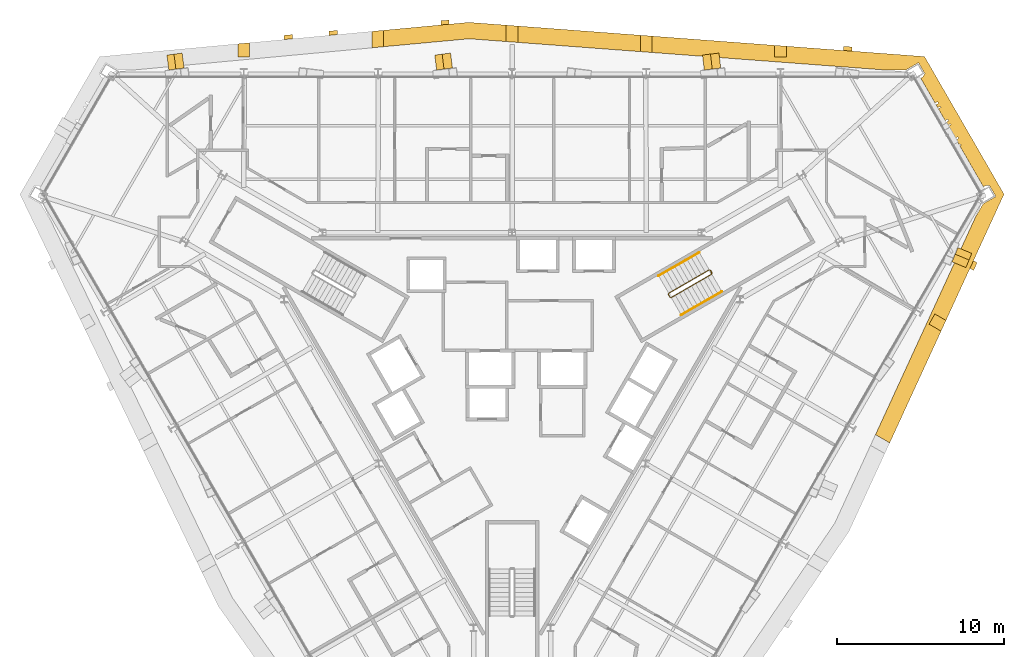
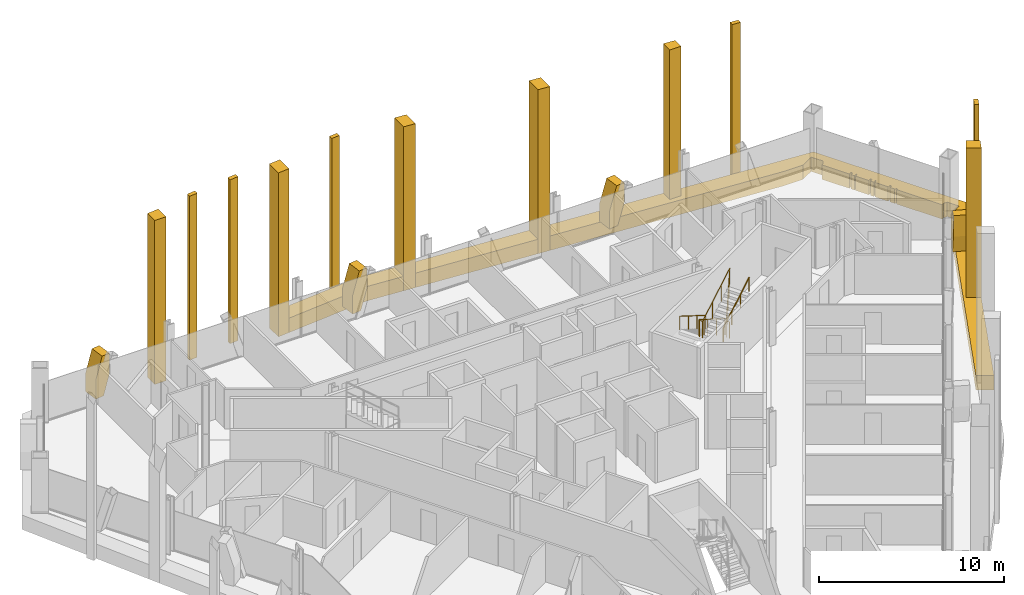
# One storey, part 16 of 16: 18 coverings, 3 railings.
"""IFC4 building model written with IfcOpenShell, lengths in metres."""

from ifc_helpers import new_model, si_unit, direction, frame, origin, origin_2d, place, context, subcontext, project, spatial, polyline, circle, outline, extrude, material, layer, layer_set, type_object, element, save


model = new_model("IFC4")

# Units and contexts
model_context = context("Model", 3, precision=1e-05, world=origin(), true_north=direction((0.0, 1.0)))
body_context = subcontext(model_context, "Body", "Model", "MODEL_VIEW")
ifc_project = project(units=[si_unit("LENGTHUNIT", "METRE"), si_unit("AREAUNIT", "SQUARE_METRE"), si_unit("VOLUMEUNIT", "CUBIC_METRE"), si_unit("PLANEANGLEUNIT", "RADIAN"), si_unit("MASSUNIT", "GRAM", prefix="KILO")], contexts=[model_context])

# Site, building, storey
site_placement = place(None, origin())
site = spatial("IfcSite", under=ifc_project, at=site_placement, CompositionType="ELEMENT")
building_placement = place(site_placement, origin())
building = spatial("IfcBuilding", under=site, at=building_placement, Name="Verrane Prism Tower", CompositionType="ELEMENT")
storey_placement = place(building_placement, frame((0.0, 0.0, 103.60009765625)))
storey = spatial("IfcBuildingStorey", under=building, at=storey_placement, Name="L24", CompositionType="ELEMENT", Elevation=103.60009765625)

# Railings
ifc_material_1 = material(Name="Steel A36 rail and posts, no infill", Category="steel")
railing_type_1 = type_object("IfcRailingType", Name="Stair guard 1100 steel rail and posts", PredefinedType="GUARDRAIL", material=ifc_material_1)
railing_1_placement = place(storey_placement, frame((11.78955078125, 6.97998046875, 0.16357421875)))
element("IfcRailing", 1, at=railing_1_placement, inside=storey, type_object=railing_type_1, Name="Stair 1 guard", PredefinedType="GUARDRAIL", context=body_context, shape_type="SweptSolid", body=[
    extrude(circle(Radius=0.02392578125, at=origin_2d()), frame((0.0, 0.0, 1.076171875), z_axis=(-0.747693913401, -0.431738279637, 0.504535300807), x_axis=(0.500049511043, -0.865996816683, 0.0)), (0.0, 0.0, 1.0), 3.2431640625),
    extrude(circle(Radius=0.02392578125, at=origin_2d()), frame((-2.4248046875, -1.400146484375, 2.71240234375), z_axis=(-0.259601060869, -0.965715946433, 0.0), x_axis=(0.965715946433, -0.259601060869, 0.0)), (0.0, 0.0, 1.0), 0.070556640625),
    extrude(circle(Radius=0.02392578125, at=origin_2d()), frame((-2.443115234375, -1.46826171875, 2.71240234375), z_axis=(0.499158860599, -0.866510491504, 0.0), x_axis=(0.866510491504, 0.499158860599, 0.0)), (0.0, 0.0, 1.0), 0.199951171875),
    extrude(circle(Radius=0.02392578125, at=origin_2d()), frame((-2.34326171875, -1.6416015625, 2.71240234375), z_axis=(0.383070988865, -0.102608300589, 0.918002262601), x_axis=(0.258736085224, 0.965948051503, 0.0)), (0.0, 0.0, 1.0), 0.178466796875),
    extrude(circle(Radius=0.02392578125, at=origin_2d()), frame((-2.27490234375, -1.659912109375, 2.8759765625), z_axis=(0.747693913401, 0.431738279637, 0.504535300807), x_axis=(-0.500049511043, 0.865996816683, 0.0)), (0.0, 0.0, 1.0), 3.2431640625),
    extrude(circle(Radius=0.02392578125, at=origin_2d()), frame((0.14990234375, -0.259765625, 4.51220703125), z_axis=(-0.022595193939, 0.066906128161, -0.9975033971), x_axis=(-0.947430582667, -0.3199613899, 0.0)), (0.0, 0.0, 1.0), 3.60888671875),
    extrude(circle(Radius=0.02392578125, at=origin_2d()), frame((0.068359375, -0.018310546875, 0.91259765625), z_axis=(0.499158860599, -0.866510491504, 0.0), x_axis=(0.866510491504, 0.499158860599, 0.0)), (0.0, 0.0, 1.0), 0.199951171875),
    extrude(circle(Radius=0.02099609375, at=origin_2d()), origin(), (0.0, 0.0, 1.0), 1.052001953125),
    extrude(circle(Radius=0.02099609375, at=origin_2d()), frame((-0.808349609375, -0.466796875, 0.54541015625)), (0.0, 0.0, 1.0), 1.052001953125),
    extrude(circle(Radius=0.02099609375, at=origin_2d()), frame((-1.616455078125, -0.933349609375, 1.0908203125)), (0.0, 0.0, 1.0), 1.052001953125),
    extrude(circle(Radius=0.02099609375, at=origin_2d()), frame((-2.4248046875, -1.400146484375, 1.63623046875)), (0.0, 0.0, 1.0), 1.052001953125),
    extrude(circle(Radius=0.02099609375, at=origin_2d()), frame((-2.443115234375, -1.46826171875, 1.63623046875)), (0.0, 0.0, 1.0), 1.052001953125),
    extrude(circle(Radius=0.02099609375, at=origin_2d()), frame((-2.34326171875, -1.6416015625, 1.63623046875)), (0.0, 0.0, 1.0), 1.052001953125),
    extrude(circle(Radius=0.02099609375, at=origin_2d()), frame((-2.27490234375, -1.659912109375, 1.800048828125)), (0.0, 0.0, 1.0), 1.052001953125),
    extrude(circle(Radius=0.02099609375, at=origin_2d()), frame((-1.466552734375, -1.193115234375, 2.345458984375)), (0.0, 0.0, 1.0), 1.052001953125),
    extrude(circle(Radius=0.02099609375, at=origin_2d()), frame((-0.658447265625, -0.7265625, 2.890869140625)), (0.0, 0.0, 1.0), 1.052001953125),
    extrude(circle(Radius=0.02099609375, at=origin_2d()), frame((0.14990234375, -0.259765625, 3.436279296875)), (0.0, 0.0, 1.0), 1.052001953125),
    extrude(circle(Radius=0.02099609375, at=origin_2d()), frame((0.12939453125, -0.199462890625, 2.536376953125)), (0.0, 0.0, 1.0), 1.052001953125),
    extrude(circle(Radius=0.02099609375, at=origin_2d()), frame((0.109130859375, -0.13916015625, 1.63623046875)), (0.0, 0.0, 1.0), 1.052001953125),
    extrude(circle(Radius=0.02099609375, at=origin_2d()), frame((0.0888671875, -0.07861328125, 0.736328125)), (0.0, 0.0, 1.0), 1.052001953125),
    extrude(circle(Radius=0.02099609375, at=origin_2d()), frame((0.068359375, -0.018310546875, -0.16357421875)), (0.0, 0.0, 1.0), 1.052001953125),
    extrude(circle(Radius=0.02099609375, at=origin_2d()), frame((0.168212890625, -0.191650390625, -0.16357421875)), (0.0, 0.0, 1.0), 1.052001953125),
])
ifc_material_2 = material(Name="Steel A36 tube", Category="steel")
railing_type_2 = type_object("IfcRailingType", Name="Stair handrail 900 steel tube", PredefinedType="HANDRAIL", material=ifc_material_2)
railing_2_placement = place(storey_placement, frame((11.189453125, 8.01904296875, 0.16357421875)))
element("IfcRailing", 2, at=railing_2_placement, inside=storey, type_object=railing_type_2, Name="Stair 1 handrail", PredefinedType="HANDRAIL", context=body_context, shape_type="SweptSolid", body=[
    extrude(circle(Radius=0.02392578125, at=origin_2d()), frame((0.0, 0.0, 0.8759765625), z_axis=(-0.74771821388, -0.431677027627, 0.504551698492), x_axis=(0.49998411664, -0.866034573852, 0.0)), (0.0, 0.0, 1.0), 3.242919921875),
    extrude(circle(Radius=0.02099609375, at=origin_2d()), origin(), (0.0, 0.0, 1.0), 0.851806640625),
    extrude(circle(Radius=0.02099609375, at=origin_2d()), frame((-0.808349609375, -0.466552734375, 0.54541015625)), (0.0, 0.0, 1.0), 0.851806640625),
    extrude(circle(Radius=0.02099609375, at=origin_2d()), frame((-1.616455078125, -0.933349609375, 1.0908203125)), (0.0, 0.0, 1.0), 0.851806640625),
    extrude(circle(Radius=0.02099609375, at=origin_2d()), frame((-2.4248046875, -1.39990234375, 1.63623046875)), (0.0, 0.0, 1.0), 0.851806640625),
])
railing_3_placement = place(storey_placement, frame((10.11474609375, 4.28076171875, 1.963623046875)))
element("IfcRailing", 3, at=railing_3_placement, inside=storey, type_object=railing_type_2, Name="Stair 1 handrail", PredefinedType="HANDRAIL", context=body_context, shape_type="SweptSolid", body=[
    extrude(circle(Radius=0.02392578125, at=origin_2d()), frame((0.0, 0.0, 0.8759765625), z_axis=(0.747693913401, 0.431738279637, 0.504535300807), x_axis=(-0.500049511043, 0.865996816683, 0.0)), (0.0, 0.0, 1.0), 3.2431640625),
    extrude(circle(Radius=0.02099609375, at=origin_2d()), origin(), (0.0, 0.0, 1.0), 0.851806640625),
    extrude(circle(Radius=0.02099609375, at=origin_2d()), frame((0.808349609375, 0.466796875, 0.54541015625)), (0.0, 0.0, 1.0), 0.851806640625),
    extrude(circle(Radius=0.02099609375, at=origin_2d()), frame((1.616455078125, 0.933349609375, 1.0908203125)), (0.0, 0.0, 1.0), 0.851806640625),
    extrude(circle(Radius=0.02099609375, at=origin_2d()), frame((2.4248046875, 1.400146484375, 1.63623046875)), (0.0, 0.0, 1.0), 0.851806640625),
])

# Coverings
ifc_material_3 = material(Name="Warm limestone cladding", Category="masonry")
ifc_layer_1 = layer(ifc_material_3, 0.89990234375)
ifc_layer_set_1 = layer_set([ifc_layer_1], Name="Stone brace fin 900")
covering_type_1 = type_object("IfcCoveringType", Name="Stone brace fin 900", PredefinedType="CLADDING", material=ifc_layer_set_1)
covering_1_placement = place(storey_placement, frame((11.43798828125, 19.370361328125, 0.0), z_axis=(0.0, 0.0, 1.0), x_axis=(0.992806724624, 0.119728056617, 0.0)))
element("IfcCovering", 4, at=covering_1_placement, inside=storey, type_object=covering_type_1, Name="Stone brace fin N2 L24", PredefinedType="CLADDING", context=body_context, shape_type="SweptSolid", body=[
    extrude(outline(polyline([(0.99072265625, 2.64990234375), (0.47900390625, 2.64990234375), (0.0, 1.19580078125), (0.0, 0.0), (0.5537109375, 0.0), (0.99072265625, 1.3271484375), (0.99072265625, 2.64990234375)])), frame((0.0, 0.449951171875, 0.0), z_axis=(0.0, -1.0, 0.0), x_axis=(1.0, 0.0, 0.0)), (0.0, 0.0, 1.0), 0.89990234375),
])
covering_2_placement = place(storey_placement, frame((-4.564697265625, 19.369873046875, 0.0), z_axis=(0.0, 0.0, 1.0), x_axis=(0.992238463136, 0.124349637206, 0.0)))
element("IfcCovering", 5, at=covering_2_placement, inside=storey, type_object=covering_type_1, Name="Stone brace fin N4 L24", PredefinedType="CLADDING", context=body_context, shape_type="SweptSolid", body=[
    extrude(outline(polyline([(0.9541015625, 2.64990234375), (0.4453125, 2.64990234375), (0.0, 1.24560546875), (0.0, 0.0), (0.549072265625, 0.0), (0.9541015625, 1.277099609375), (0.9541015625, 2.64990234375)])), frame((0.0, 0.449951171875, 0.0), z_axis=(0.0, -1.0, 0.0), x_axis=(1.0, 0.0, 0.0)), (0.0, 0.0, 1.0), 0.89990234375),
])
covering_3_placement = place(storey_placement, frame((-20.571533203125, 19.369384765625, 0.0), z_axis=(0.0, 0.0, 1.0), x_axis=(0.991600411186, 0.129339184068, 0.0)))
element("IfcCovering", 6, at=covering_3_placement, inside=storey, type_object=covering_type_1, Name="Stone brace fin N6 L24", PredefinedType="CLADDING", context=body_context, shape_type="SweptSolid", body=[
    extrude(outline(polyline([(0.917236328125, 2.64990234375), (0.424560546875, 2.64990234375), (0.0, 1.25732421875), (0.0, 0.0), (0.531494140625, 0.0), (0.917236328125, 1.265380859375), (0.917236328125, 2.64990234375)])), frame((0.0, 0.449951171875, 0.0), z_axis=(0.0, -1.0, 0.0), x_axis=(1.0, 0.0, 0.0)), (0.0, 0.0, 1.0), 0.89990234375),
])
covering_4_placement = place(storey_placement, frame((27.064208984375, 8.13330078125, 0.0), z_axis=(0.0, 0.0, 1.0), x_axis=(-0.382571404949, -0.923925927829, 0.0)))
element("IfcCovering", 7, at=covering_4_placement, inside=storey, type_object=covering_type_1, Name="Stone brace fin SE6 L24", PredefinedType="CLADDING", context=body_context, shape_type="SweptSolid", body=[
    extrude(outline(polyline([(0.91650390625, 2.64990234375), (0.42431640625, 2.64990234375), (0.0, 1.25732421875), (0.0, 0.0), (0.531005859375, 0.0), (0.91650390625, 1.265380859375), (0.91650390625, 2.64990234375)])), frame((0.0, 0.449951171875, 0.0), z_axis=(0.0, -1.0, 0.0), x_axis=(1.0, 0.0, 0.0)), (0.0, 0.0, 1.0), 0.89990234375),
])
ifc_material_4 = material(Name="Warm limestone cladding", Category="masonry")
covering_type_2 = type_object("IfcCoveringType", Name="Stone mullion pier 500", PredefinedType="CLADDING", material=ifc_material_4)
covering_5_placement = place(storey_placement, frame((0.0, 0.0, -0.9501953125)))
element("IfcCovering", 8, at=covering_5_placement, inside=storey, type_object=covering_type_2, Name="Stone pier SM-N0.1 L24-L26", PredefinedType="CLADDING", context=body_context, shape_type="SweptSolid", body=[
    extrude(outline(polyline([(19.805908203125, 20.0908203125), (20.305908203125, 20.05322265625), (20.305908203125, 20.303955078125), (19.805908203125, 20.341552734375), (19.805908203125, 20.0908203125)])), origin(), (0.0, 0.0, 1.0), 10.800048828125),
])
covering_6_placement = place(storey_placement, frame((0.0, 0.0, -0.9501953125)))
element("IfcCovering", 9, at=covering_6_placement, inside=storey, type_object=covering_type_2, Name="Stone pier SM-N3.1 L24-L26", PredefinedType="CLADDING", context=body_context, shape_type="SweptSolid", body=[
    extrude(outline(polyline([(-4.26123046875, 21.61474609375), (-3.76123046875, 21.661376953125), (-3.76123046875, 21.912353515625), (-4.26123046875, 21.86572265625), (-4.26123046875, 21.61474609375)])), origin(), (0.0, 0.0, 1.0), 10.800048828125),
])
covering_7_placement = place(storey_placement, frame((0.0, 0.0, -0.9501953125)))
element("IfcCovering", 10, at=covering_7_placement, inside=storey, type_object=covering_type_2, Name="Stone pier SM-N4.1 L24-L26", PredefinedType="CLADDING", context=body_context, shape_type="SweptSolid", body=[
    extrude(outline(polyline([(-10.946533203125, 20.992919921875), (-10.446533203125, 21.039306640625), (-10.446533203125, 21.290283203125), (-10.946533203125, 21.243896484375), (-10.946533203125, 20.992919921875)])), origin(), (0.0, 0.0, 1.0), 10.800048828125),
])
covering_8_placement = place(storey_placement, frame((0.0, 0.0, -0.9501953125)))
element("IfcCovering", 11, at=covering_8_placement, inside=storey, type_object=covering_type_2, Name="Stone pier SM-N4.2 L24-L26", PredefinedType="CLADDING", context=body_context, shape_type="SweptSolid", body=[
    extrude(outline(polyline([(-13.62060546875, 20.744140625), (-13.12060546875, 20.79052734375), (-13.12060546875, 21.041748046875), (-13.62060546875, 20.9951171875), (-13.62060546875, 20.744140625)])), origin(), (0.0, 0.0, 1.0), 10.800048828125),
])
covering_9_placement = place(storey_placement, frame((0.0, 0.0, -0.9501953125)))
element("IfcCovering", 12, at=covering_9_placement, inside=storey, type_object=covering_type_2, Name="Stone pier SM-SE5.1 L24-L26", PredefinedType="CLADDING", context=body_context, shape_type="SweptSolid", body=[
    extrude(outline(polyline([(27.579345703125, 7.5244140625), (27.36962890625, 7.068115234375), (27.587158203125, 6.942626953125), (27.796875, 7.39892578125), (27.579345703125, 7.5244140625)])), origin(), (0.0, 0.0, 1.0), 10.800048828125),
])
ifc_material_5 = material(Name="Warm limestone cladding", Category="masonry")
covering_type_3 = type_object("IfcCoveringType", Name="Stone pier 700", PredefinedType="CLADDING", material=ifc_material_5)
covering_10_placement = place(storey_placement, frame((0.0, 0.0, -0.9501953125)))
element("IfcCovering", 13, at=covering_10_placement, inside=storey, type_object=covering_type_3, Name="Stone pier PC-N1 L24-L26", PredefinedType="CLADDING", context=body_context, shape_type="SweptSolid", body=[
    extrude(outline(polyline([(15.69482421875, 19.7099609375), (16.394775390625, 19.7099609375), (16.394775390625, 20.346923828125), (15.69482421875, 20.3994140625), (15.69482421875, 19.7099609375)])), origin(), (0.0, 0.0, 1.0), 10.800048828125),
])
covering_11_placement = place(storey_placement, frame((0.0, 0.0, -0.9501953125)))
element("IfcCovering", 14, at=covering_11_placement, inside=storey, type_object=covering_type_3, Name="Stone pier PC-N2 L24-L26", PredefinedType="CLADDING", context=body_context, shape_type="SweptSolid", body=[
    extrude(outline(polyline([(7.67236328125, 21.001953125), (7.67236328125, 20.02099609375), (8.372314453125, 19.968505859375), (8.372314453125, 20.949462890625), (7.67236328125, 21.001953125)])), origin(), (0.0, 0.0, 1.0), 10.800048828125),
])
covering_12_placement = place(storey_placement, frame((0.0, 0.0, -0.9501953125)))
element("IfcCovering", 15, at=covering_12_placement, inside=storey, type_object=covering_type_3, Name="Stone pier PC-N3 L24-L26", PredefinedType="CLADDING", context=body_context, shape_type="SweptSolid", body=[
    extrude(outline(polyline([(-0.35009765625, 21.6044921875), (-0.35009765625, 20.62353515625), (0.35009765625, 20.57080078125), (0.35009765625, 21.5517578125), (-0.35009765625, 21.6044921875)])), origin(), (0.0, 0.0, 1.0), 10.800048828125),
])
covering_13_placement = place(storey_placement, frame((0.0, 0.0, -0.9501953125)))
element("IfcCovering", 16, at=covering_13_placement, inside=storey, type_object=covering_type_3, Name="Stone pier PC-N4 L24-L26", PredefinedType="CLADDING", context=body_context, shape_type="SweptSolid", body=[
    extrude(outline(polyline([(-8.372314453125, 21.232421875), (-8.372314453125, 20.25), (-7.67236328125, 20.315185546875), (-7.67236328125, 21.29736328125), (-8.372314453125, 21.232421875)])), origin(), (0.0, 0.0, 1.0), 10.800048828125),
])
covering_14_placement = place(storey_placement, frame((0.0, 0.0, -0.9501953125)))
element("IfcCovering", 17, at=covering_14_placement, inside=storey, type_object=covering_type_3, Name="Stone pier PC-N5 L24-L26", PredefinedType="CLADDING", context=body_context, shape_type="SweptSolid", body=[
    extrude(outline(polyline([(-16.394775390625, 19.7099609375), (-15.69482421875, 19.7099609375), (-15.69482421875, 20.55126953125), (-16.394775390625, 20.486083984375), (-16.394775390625, 19.7099609375)])), origin(), (0.0, 0.0, 1.0), 10.800048828125),
])
covering_15_placement = place(storey_placement, frame((0.0, 0.0, -0.9501953125)))
element("IfcCovering", 18, at=covering_15_placement, inside=storey, type_object=covering_type_3, Name="Stone pier PC-SE5 L24-L26", PredefinedType="CLADDING", context=body_context, shape_type="SweptSolid", body=[
    extrude(outline(polyline([(25.274658203125, 4.338623046875), (24.9248046875, 3.732421875), (25.645263671875, 3.31640625), (25.938720703125, 3.955322265625), (25.274658203125, 4.338623046875)])), origin(), (0.0, 0.0, 1.0), 10.800048828125),
])
ifc_material_6 = material(Name="Warm limestone cladding", Category="masonry")
ifc_layer_2 = layer(ifc_material_6, 0.449951171875)
ifc_layer_set_2 = layer_set([ifc_layer_2], Name="Stone spandrel band 450")
covering_type_4 = type_object("IfcCoveringType", Name="Stone spandrel band 450", PredefinedType="CLADDING", material=ifc_layer_set_2)
covering_16_placement = place(storey_placement, frame((0.0, 0.0, -0.9501953125)))
element("IfcCovering", 19, at=covering_16_placement, inside=storey, type_object=covering_type_4, Name="Stone spandrel band L24 part 2", PredefinedType="CLADDING", context=body_context, shape_type="SweptSolid", body=[
    extrude(outline(polyline([(8.372314453125, 20.949462890625), (8.372314453125, 19.968505859375), (22.29150390625, 18.92333984375), (23.541015625, 18.92333984375), (24.295654296875, 19.359130859375), (24.67578125, 18.700927734375), (24.65673828125, 18.68994140625), (24.542724609375, 18.495361328125), (24.42919921875, 18.4296875), (25.2861328125, 16.945556640625), (25.432861328125, 17.030517578125), (25.490966796875, 16.929931640625), (25.343994140625, 16.844970703125), (25.444580078125, 16.671142578125), (25.59130859375, 16.756103515625), (25.62646484375, 16.6953125), (25.4794921875, 16.610595703125), (25.8916015625, 15.896728515625), (26.03857421875, 15.981689453125), (26.0966796875, 15.88134765625), (25.94970703125, 15.79638671875), (26.050048828125, 15.622314453125), (26.197265625, 15.70751953125), (26.232177734375, 15.646728515625), (26.0849609375, 15.561767578125), (26.4970703125, 14.84814453125), (26.644287109375, 14.93310546875), (26.702392578125, 14.83251953125), (26.55517578125, 14.74755859375), (26.700927734375, 14.494873046875), (26.83203125, 14.473876953125), (26.81982421875, 14.397705078125), (26.75048828125, 14.40869140625), (28.17529296875, 11.94091796875), (28.291748046875, 12.008056640625), (28.5166015625, 12.008056640625), (28.53564453125, 12.01904296875), (28.915771484375, 11.36083984375), (28.1572265625, 10.923095703125), (27.705078125, 10.1396484375), (21.72314453125, -2.874267578125), (22.573974609375, -3.365478515625), (25.645263671875, 3.31640625), (24.9248046875, 3.732421875), (25.274658203125, 4.338623046875), (25.938720703125, 3.955322265625), (29.406005859375, 11.498779296875), (24.65576171875, 19.726806640625), (16.394775390625, 20.346923828125), (16.394775390625, 19.7099609375), (15.69482421875, 19.7099609375), (15.69482421875, 20.3994140625), (8.372314453125, 20.949462890625)])), origin(), (0.0, 0.0, 1.0), 0.9501953125),
])
covering_17_placement = place(storey_placement, frame((0.0, 0.0, -0.9501953125)))
element("IfcCovering", 20, at=covering_17_placement, inside=storey, type_object=covering_type_4, Name="Stone spandrel band L24 part 8", PredefinedType="CLADDING", context=body_context, shape_type="SweptSolid", body=[
    extrude(outline(polyline([(0.35009765625, 21.5517578125), (0.35009765625, 20.57080078125), (7.67236328125, 20.02099609375), (7.67236328125, 21.001953125), (0.35009765625, 21.5517578125)])), origin(), (0.0, 0.0, 1.0), 0.9501953125),
])
covering_18_placement = place(storey_placement, frame((0.0, 0.0, -0.9501953125)))
element("IfcCovering", 21, at=covering_18_placement, inside=storey, type_object=covering_type_4, Name="Stone spandrel band L24 part 9", PredefinedType="CLADDING", context=body_context, shape_type="SweptSolid", body=[
    extrude(outline(polyline([(-7.67236328125, 20.315185546875), (-2.567138671875, 20.7900390625), (-0.35009765625, 20.62353515625), (-0.35009765625, 21.6044921875), (-2.575927734375, 21.771484375), (-7.67236328125, 21.29736328125), (-7.67236328125, 20.315185546875)])), origin(), (0.0, 0.0, 1.0), 0.9501953125),
])

save(model, "model.ifc")
